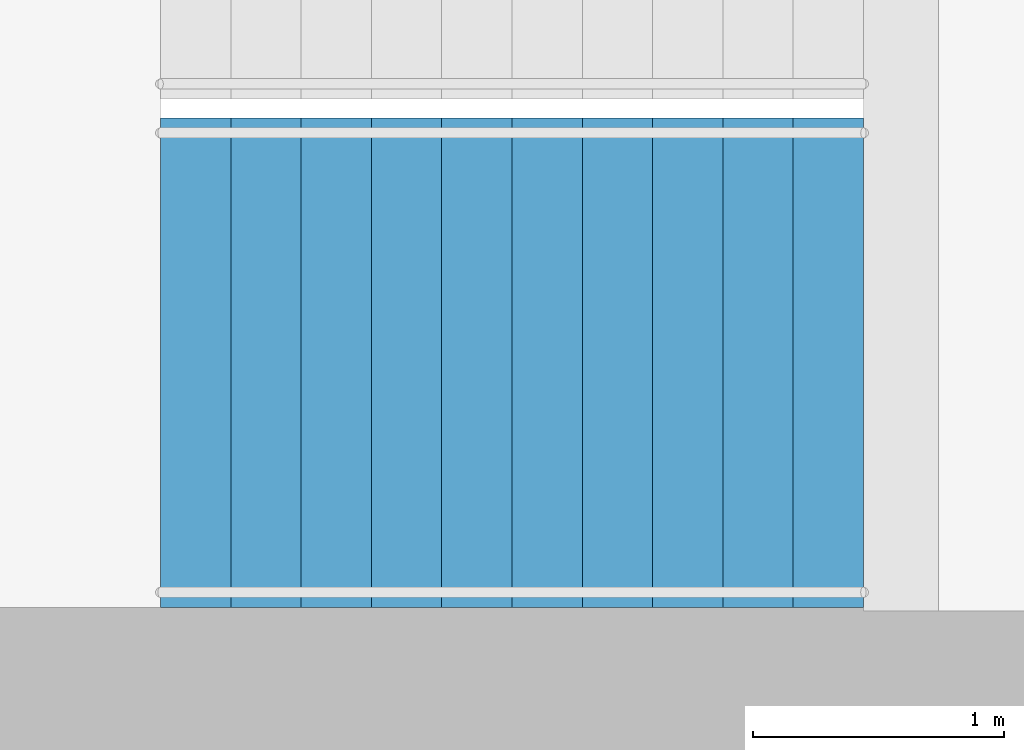
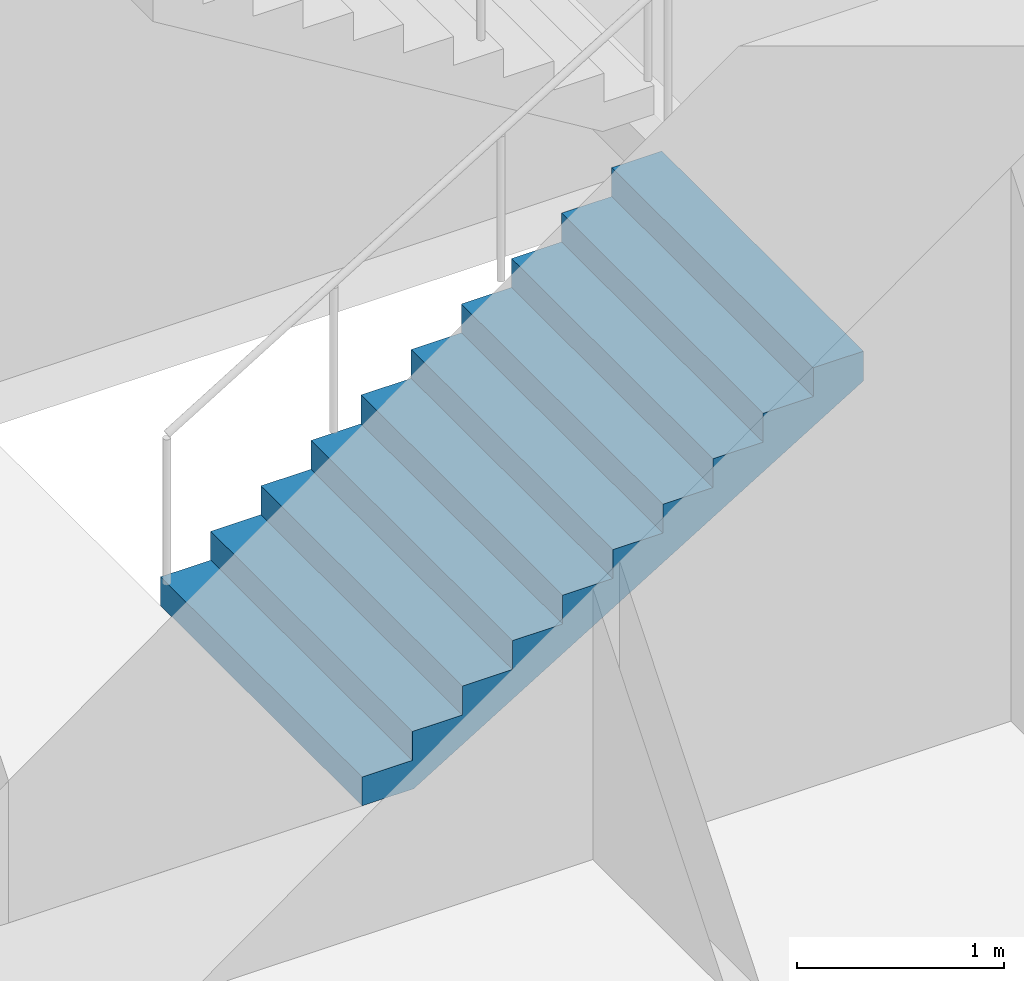
# One storey, part 17 of 21: 1 stair flight, 1 element without a shape of its own.
"""IFC4 building model written with IfcOpenShell, lengths in metres."""

import ifcopenshell
import ifcopenshell.guid

model = None  # the IFC model being written
_history = None  # IfcOwnerHistory: only IFC2X3 demands one
_inside = {}  # id of a spatial element -> (the spatial element, [elements in it])
_under = {}  # id of a project, library or spatial element -> (it, [spatial elements below it])
_declared = {}  # id of a project -> (the project, [libraries it declares])
_typed = {}  # id of a type object -> (the type object, [elements of that type])
_made_of = {}  # id of a material, layer set ... -> (it, [elements and type objects made of it])


def new_model(schema):
    """Start an empty IFC model of exactly this schema.

    Asked for "IFC4X3", IfcOpenShell would pick the latest addendum, in which some entities
    have other attributes; the version numbers below select the first issue.
    IFC2X3 requires an IfcOwnerHistory on every rooted entity: one is made here for all.
    """
    global model, _history
    if schema == "IFC4X3":
        model = ifcopenshell.file(schema_version=(4, 3, 0, 0))
    else:
        model = ifcopenshell.file(schema=schema)
    _inside.clear()
    _under.clear()
    _declared.clear()
    _typed.clear()
    _made_of.clear()
    _history = None
    if model.schema == "IFC2X3":
        org = make("IfcOrganization", Name="unknown")
        user = make(
            "IfcPersonAndOrganization",
            ThePerson=make("IfcPerson", FamilyName="unknown"),
            TheOrganization=org,
        )
        app = make(
            "IfcApplication",
            ApplicationDeveloper=org,
            Version="unknown",
            ApplicationFullName="unknown",
            ApplicationIdentifier="unknown",
        )
        _history = make(
            "IfcOwnerHistory",
            OwningUser=user,
            OwningApplication=app,
            ChangeAction="ADDED",
            CreationDate=0,
        )
    return model


def make(cls, **values):
    """One entity of the class cls with the attributes given. An attribute that is None is left unset."""
    return model.create_entity(
        cls, **{name: value for name, value in values.items() if value is not None}
    )


def rooted(cls, **values):
    """An entity with a GlobalId (a new one), such as an element, a storey or a relation."""
    return make(cls, GlobalId=ifcopenshell.guid.new(), OwnerHistory=_history, **values)


def si_unit(unit_type, name, prefix=None):
    """IfcSIUnit, for example si_unit("LENGTHUNIT", "METRE", prefix="MILLI")."""
    return make("IfcSIUnit", UnitType=unit_type, Prefix=prefix, Name=name)


def assignment(units):
    """IfcUnitAssignment: the units of a project."""
    return None if units is None else make("IfcUnitAssignment", Units=units)


def point(xyz):
    """IfcCartesianPoint."""
    return None if xyz is None else make("IfcCartesianPoint", Coordinates=xyz)


def direction(xyz):
    """IfcDirection."""
    return None if xyz is None else make("IfcDirection", DirectionRatios=xyz)


def frame(location, z_axis=None, x_axis=None):
    """IfcAxis2Placement3D, a coordinate frame: its origin and axes. An axis left out is left unset."""
    return make(
        "IfcAxis2Placement3D",
        Location=point(location),
        Axis=direction(z_axis),
        RefDirection=direction(x_axis),
    )


def origin():
    """The frame at (0, 0, 0) with its axes left unset."""
    return frame((0.0, 0.0, 0.0))


def place(relative_to, where):
    """IfcLocalPlacement: puts the frame where relative to a parent placement (None: the world)."""
    return make(
        "IfcLocalPlacement", PlacementRelTo=relative_to, RelativePlacement=where
    )


def context(
    kind, dimensions, precision=None, world=None, true_north=None, identifier=None
):
    """IfcGeometricRepresentationContext, for example the 3D "Model" context."""
    return make(
        "IfcGeometricRepresentationContext",
        ContextIdentifier=identifier,
        ContextType=kind,
        CoordinateSpaceDimension=dimensions,
        Precision=precision,
        WorldCoordinateSystem=world,
        TrueNorth=true_north,
    )


def subcontext(parent, identifier, kind, view, scale=None):
    """IfcGeometricRepresentationSubContext, for example "Body" below "Model"."""
    return make(
        "IfcGeometricRepresentationSubContext",
        ContextIdentifier=identifier,
        ContextType=kind,
        ParentContext=parent,
        TargetScale=scale,
        TargetView=view,
    )


def project(units=None, contexts=None):
    """IfcProject with its units and contexts."""
    return rooted(
        "IfcProject",
        Name="project",
        RepresentationContexts=contexts,
        UnitsInContext=assignment(units),
    )


def spatial(cls, under=None, at=None, **own):
    """A site, building, storey or space (cls), placed at a placement, below another one or the project."""
    s = rooted(cls, ObjectPlacement=at, **own)
    if under is not None:
        _under.setdefault(under.id(), (under, []))[1].append(s)
    return s


def point_list(points):
    """IfcCartesianPointList2D or 3D."""
    cls = (
        "IfcCartesianPointList2D" if len(points[0]) == 2 else "IfcCartesianPointList3D"
    )
    return make(cls, CoordList=points)


def triangles(points, corners, closed=None, point_numbers=None):
    """IfcTriangulatedFaceSet: each triangle names its three corners, points numbered from 1."""
    return make(
        "IfcTriangulatedFaceSet",
        Coordinates=point_list(points),
        Closed=closed,
        CoordIndex=corners,
        PnIndex=point_numbers,
    )


def shape(context_of_items, identifier, shape_type, items):
    """IfcShapeRepresentation: the items that make up one representation, for example the "Body"."""
    return make(
        "IfcShapeRepresentation",
        ContextOfItems=context_of_items,
        RepresentationIdentifier=identifier,
        RepresentationType=shape_type,
        Items=items,
    )


def material(Name=None, Category=None):
    """IfcMaterial."""
    return make("IfcMaterial", Name=Name, Category=Category)


def made_of(thing, what):
    """Note that an element or type object is made of a material, layer set ...; save() writes the relation."""
    if what is not None:
        _made_of.setdefault(what.id(), (what, []))[1].append(thing)
    return thing


def type_object(cls, material=None, **own):
    """A type object (cls), such as IfcWallType, which elements share."""
    return made_of(rooted(cls, **own), material)


def element(
    cls,
    number,
    at=None,
    inside=None,
    cuts=None,
    type_object=None,
    material=None,
    context=None,
    identifier="Body",
    shape_type=None,
    held_by="IfcProductDefinitionShape",
    body=None,
    shapes=None,
    **own,
):
    """One element of the class cls, such as IfcWall. Its Tag is "e" and its number.

    at: its placement. inside: the storey or other place that contains it. cuts: it is an
    opening in that element (IfcRelVoidsElement). A single representation is given by context,
    identifier, shape_type and body (its items); several are given by shapes. held_by: the class
    of the entity that holds the representations. save() writes the other relations.
    """
    e = rooted(cls, Tag="e%d" % number, ObjectPlacement=at, **own)
    if body is not None:
        shapes = [shape(context, identifier, shape_type, body)]
    if shapes is not None:
        e.Representation = make(held_by, Representations=shapes)
    if inside is not None:
        _inside.setdefault(inside.id(), (inside, []))[1].append(e)
    if cuts is not None:
        rooted(
            "IfcRelVoidsElement", RelatingBuildingElement=cuts, RelatedOpeningElement=e
        )
    if type_object is not None:
        _typed.setdefault(type_object.id(), (type_object, []))[1].append(e)
    return made_of(e, material)


def aggregate(whole, parts):
    """IfcRelAggregates: a whole, such as a stair, and the parts it consists of."""
    return rooted("IfcRelAggregates", RelatingObject=whole, RelatedObjects=parts)


def save(model, path):
    """Write the relations noted so far, then the file.

    IfcRelAggregates (storeys below a building ...), IfcRelContainedInSpatialStructure (elements
    in a storey), IfcRelDefinesByType, IfcRelAssociatesMaterial and IfcRelDeclares: one each for
    every whole, place, type object, material and project.
    """
    for whole, parts in _under.values():
        aggregate(whole, parts)
    for where, things in _inside.values():
        rooted(
            "IfcRelContainedInSpatialStructure",
            RelatedElements=things,
            RelatingStructure=where,
        )
    for kind, things in _typed.values():
        rooted("IfcRelDefinesByType", RelatedObjects=things, RelatingType=kind)
    for what, things in _made_of.values():
        rooted("IfcRelAssociatesMaterial", RelatedObjects=things, RelatingMaterial=what)
    for by, libraries in _declared.values():
        rooted("IfcRelDeclares", RelatingContext=by, RelatedDefinitions=libraries)
    model.write(path)


model = new_model("IFC4")

# Units and contexts
model_context = context("Model", 3, precision=1e-05, world=origin(), true_north=direction((0.0, 1.0)))
body_context = subcontext(model_context, "Body", "Model", "MODEL_VIEW")
ifc_project = project(units=[si_unit("LENGTHUNIT", "METRE"), si_unit("AREAUNIT", "SQUARE_METRE"), si_unit("VOLUMEUNIT", "CUBIC_METRE"), si_unit("PLANEANGLEUNIT", "RADIAN"), si_unit("MASSUNIT", "GRAM", prefix="KILO")], contexts=[model_context])

# Site, building, storey
site_placement = place(None, origin())
site = spatial("IfcSite", under=ifc_project, at=site_placement, CompositionType="ELEMENT")
building_placement = place(site_placement, origin())
building = spatial("IfcBuilding", under=site, at=building_placement, Name="Orbita Commons", CompositionType="ELEMENT")
storey_placement = place(building_placement, frame((0.0, 0.0, 125.64990234375)))
storey = spatial("IfcBuildingStorey", under=building, at=storey_placement, Name="L31", CompositionType="ELEMENT", Elevation=125.64990234375)

# Stair, stair flight
ifc_material_1 = material(Name="Precast concrete C40/50", Category="concrete")
stair_type = type_object("IfcStairType", Name="Exit stair S1 2 flights 11 risers 170", PredefinedType="HALF_TURN_STAIR", material=ifc_material_1)
stair_placement = place(storey_placement, origin())
stair = element("IfcStair", 1, at=stair_placement, inside=storey, type_object=stair_type, Name="Exit stair S1 L31", PredefinedType="HALF_TURN_STAIR")
ifc_material_2 = material(Name="Precast concrete C40/50", Category="concrete")
stair_flight_type = type_object("IfcStairFlightType", Name="Stair flight 11 risers 170 x 280", PredefinedType="STRAIGHT", material=ifc_material_2)
stair_flight_placement = place(storey_placement, frame((20.449951171875, 27.25, 0.0), z_axis=(0.0, 0.0, 1.0), x_axis=(1.0, 0.0, 0.0)))
stair_flight = element("IfcStairFlight", 2, at=stair_flight_placement, type_object=stair_flight_type, Name="S1 flight 1", NumberOfRisers=11, NumberOfTreads=10, PredefinedType="STRAIGHT", RiserHeight=0.170454545, TreadLength=0.28, context=body_context, shape_type="Tessellation", body=[
    triangles([(0.0, 0.974976, 0.0), (0.0, 0.974976, 0.021307), (0.0, 0.81248, 0.021307), (0.0, 0.81248, 0.0), (0.0, 0.649984, 0.021307), (0.0, 0.649984, 0.0), (0.0, 0.487488, 0.021307), (0.0, 0.487488, 0.0), (0.0, 0.324992, 0.021307), (0.0, 0.324992, 0.0), (0.0, 0.162496, 0.021307), (0.0, 0.162496, 0.0), (0.0, 0.0, 0.021307), (0.0, 0.0, 0.0), (0.0, -0.162496, 0.021307), (0.0, -0.162496, 0.0), (0.0, -0.324992, 0.021307), (0.0, -0.324992, 0.0), (0.0, -0.487488, 0.021307), (0.0, -0.487488, 0.0), (0.0, -0.649984, 0.021307), (0.0, -0.649984, 0.0), (0.0, -0.81248, 0.021307), (0.0, -0.81248, 0.0), (0.0, -0.974976, 0.021307), (0.0, -0.974976, 0.0), (0.0, 0.974976, 0.042614), (0.0, 0.81248, 0.042614), (0.0, 0.649984, 0.042614), (0.0, 0.487488, 0.042614), (0.0, 0.324992, 0.042614), (0.0, 0.162496, 0.042614), (0.0, 0.0, 0.042614), (0.0, -0.162496, 0.042614), (0.0, -0.324992, 0.042614), (0.0, -0.487488, 0.042614), (0.0, -0.649984, 0.042614), (0.0, -0.81248, 0.042614), (0.0, -0.974976, 0.042614), (0.0, 0.974976, 0.06392), (0.0, 0.81248, 0.06392), (0.0, 0.649984, 0.06392), (0.0, 0.487488, 0.06392), (0.0, 0.324992, 0.06392), (0.0, 0.162496, 0.06392), (0.0, 0.0, 0.06392), (0.0, -0.162496, 0.06392), (0.0, -0.324992, 0.06392), (0.0, -0.487488, 0.06392), (0.0, -0.649984, 0.06392), (0.0, -0.81248, 0.06392), (0.0, -0.974976, 0.06392), (0.0, 0.974976, 0.085227), (0.0, 0.81248, 0.085227), (0.0, 0.649984, 0.085227), (0.0, 0.487488, 0.085227), (0.0, 0.324992, 0.085227), (0.0, 0.162496, 0.085227), (0.0, 0.0, 0.085227), (0.0, -0.162496, 0.085227), (0.0, -0.324992, 0.085227), (0.0, -0.487488, 0.085227), (0.0, -0.649984, 0.085227), (0.0, -0.81248, 0.085227), (0.0, -0.974976, 0.085227), (0.0, 0.974976, 0.106534), (0.0, 0.81248, 0.106534), (0.0, 0.649984, 0.106534), (0.0, 0.487488, 0.106534), (0.0, 0.324992, 0.106534), (0.0, 0.162496, 0.106534), (0.0, 0.0, 0.106534), (0.0, -0.162496, 0.106534), (0.0, -0.324992, 0.106534), (0.0, -0.487488, 0.106534), (0.0, -0.649984, 0.106534), (0.0, -0.81248, 0.106534), (0.0, -0.974976, 0.106534), (0.0, 0.974976, 0.127841), (0.0, 0.81248, 0.127841), (0.0, 0.649984, 0.127841), (0.0, 0.487488, 0.127841), (0.0, 0.324992, 0.127841), (0.0, 0.162496, 0.127841), (0.0, 0.0, 0.127841), (0.0, -0.162496, 0.127841), (0.0, -0.324992, 0.127841), (0.0, -0.487488, 0.127841), (0.0, -0.649984, 0.127841), (0.0, -0.81248, 0.127841), (0.0, -0.974976, 0.127841), (0.0, 0.974976, 0.149148), (0.0, 0.81248, 0.149148), (0.0, 0.649984, 0.149148), (0.0, 0.487488, 0.149148), (0.0, 0.324992, 0.149148), (0.0, 0.162496, 0.149148), (0.0, 0.0, 0.149148), (0.0, -0.162496, 0.149148), (0.0, -0.324992, 0.149148), (0.0, -0.487488, 0.149148), (0.0, -0.649984, 0.149148), (0.0, -0.81248, 0.149148), (0.0, -0.974976, 0.149148), (0.0, 0.974976, 0.170455), (0.0, 0.81248, 0.170455), (0.0, 0.649984, 0.170455), (0.0, 0.487488, 0.170455), (0.0, 0.324992, 0.170455), (0.0, 0.162496, 0.170455), (0.0, 0.0, 0.170455), (0.0, -0.162496, 0.170455), (0.0, -0.324992, 0.170455), (0.0, -0.487488, 0.170455), (0.0, -0.649984, 0.170455), (0.0, -0.81248, 0.170455), (0.0, -0.974976, 0.170455), (0.28, 0.974976, 0.170455), (0.28, 0.81248, 0.170455), (0.28, 0.649984, 0.170455), (0.28, 0.487488, 0.170455), (0.28, 0.324992, 0.170455), (0.28, 0.162496, 0.170455), (0.28, 0.0, 0.170455), (0.28, -0.162496, 0.170455), (0.28, -0.324992, 0.170455), (0.28, -0.487488, 0.170455), (0.28, -0.649984, 0.170455), (0.28, -0.81248, 0.170455), (0.28, -0.974976, 0.170455), (0.28, 0.974976, 0.340909), (0.28, 0.81248, 0.340909), (0.28, 0.649984, 0.340909), (0.28, 0.487488, 0.340909), (0.28, 0.324992, 0.340909), (0.28, 0.162496, 0.340909), (0.28, 0.0, 0.340909), (0.28, -0.162496, 0.340909), (0.28, -0.324992, 0.340909), (0.28, -0.487488, 0.340909), (0.28, -0.649984, 0.340909), (0.28, -0.81248, 0.340909), (0.28, -0.974976, 0.340909), (0.56, 0.974976, 0.340909), (0.56, 0.81248, 0.340909), (0.56, 0.649984, 0.340909), (0.56, 0.487488, 0.340909), (0.56, 0.324992, 0.340909), (0.56, 0.162496, 0.340909), (0.56, 0.0, 0.340909), (0.56, -0.162496, 0.340909), (0.56, -0.324992, 0.340909), (0.56, -0.487488, 0.340909), (0.56, -0.649984, 0.340909), (0.56, -0.81248, 0.340909), (0.56, -0.974976, 0.340909), (0.56, 0.974976, 0.511364), (0.56, 0.81248, 0.511364), (0.56, 0.649984, 0.511364), (0.56, 0.487488, 0.511364), (0.56, 0.324992, 0.511364), (0.56, 0.162496, 0.511364), (0.56, 0.0, 0.511364), (0.56, -0.162496, 0.511364), (0.56, -0.324992, 0.511364), (0.56, -0.487488, 0.511364), (0.56, -0.649984, 0.511364), (0.56, -0.81248, 0.511364), (0.56, -0.974976, 0.511364), (0.84, 0.974976, 0.511364), (0.84, 0.81248, 0.511364), (0.84, 0.649984, 0.511364), (0.84, 0.487488, 0.511364), (0.84, 0.324992, 0.511364), (0.84, 0.162496, 0.511364), (0.84, 0.0, 0.511364), (0.84, -0.162496, 0.511364), (0.84, -0.324992, 0.511364), (0.84, -0.487488, 0.511364), (0.84, -0.649984, 0.511364), (0.84, -0.81248, 0.511364), (0.84, -0.974976, 0.511364), (0.84, 0.974976, 0.681818), (0.84, 0.81248, 0.681818), (0.84, 0.649984, 0.681818), (0.84, 0.487488, 0.681818), (0.84, 0.324992, 0.681818), (0.84, 0.162496, 0.681818), (0.84, 0.0, 0.681818), (0.84, -0.162496, 0.681818), (0.84, -0.324992, 0.681818), (0.84, -0.487488, 0.681818), (0.84, -0.649984, 0.681818), (0.84, -0.81248, 0.681818), (0.84, -0.974976, 0.681818), (1.12, 0.974976, 0.681818), (1.12, 0.81248, 0.681818), (1.12, 0.649984, 0.681818), (1.12, 0.487488, 0.681818), (1.12, 0.324992, 0.681818), (1.12, 0.162496, 0.681818), (1.12, 0.0, 0.681818), (1.12, -0.162496, 0.681818), (1.12, -0.324992, 0.681818), (1.12, -0.487488, 0.681818), (1.12, -0.649984, 0.681818), (1.12, -0.81248, 0.681818), (1.12, -0.974976, 0.681818), (1.12, 0.974976, 0.852273), (1.12, 0.81248, 0.852273), (1.12, 0.649984, 0.852273), (1.12, 0.487488, 0.852273), (1.12, 0.324992, 0.852273), (1.12, 0.162496, 0.852273), (1.12, 0.0, 0.852273), (1.12, -0.162496, 0.852273), (1.12, -0.324992, 0.852273), (1.12, -0.487488, 0.852273), (1.12, -0.649984, 0.852273), (1.12, -0.81248, 0.852273), (1.12, -0.974976, 0.852273), (1.4, 0.974976, 0.852273), (1.4, 0.81248, 0.852273), (1.4, 0.649984, 0.852273), (1.4, 0.487488, 0.852273), (1.4, 0.324992, 0.852273), (1.4, 0.162496, 0.852273), (1.4, 0.0, 0.852273), (1.4, -0.162496, 0.852273), (1.4, -0.324992, 0.852273), (1.4, -0.487488, 0.852273), (1.4, -0.649984, 0.852273), (1.4, -0.81248, 0.852273), (1.4, -0.974976, 0.852273), (1.4, 0.974976, 1.022727), (1.4, 0.81248, 1.022727), (1.4, 0.649984, 1.022727), (1.4, 0.487488, 1.022727), (1.4, 0.324992, 1.022727), (1.4, 0.162496, 1.022727), (1.4, 0.0, 1.022727), (1.4, -0.162496, 1.022727), (1.4, -0.324992, 1.022727), (1.4, -0.487488, 1.022727), (1.4, -0.649984, 1.022727), (1.4, -0.81248, 1.022727), (1.4, -0.974976, 1.022727), (1.68, 0.974976, 1.022727), (1.68, 0.81248, 1.022727), (1.68, 0.649984, 1.022727), (1.68, 0.487488, 1.022727), (1.68, 0.324992, 1.022727), (1.68, 0.162496, 1.022727), (1.68, 0.0, 1.022727), (1.68, -0.162496, 1.022727), (1.68, -0.324992, 1.022727), (1.68, -0.487488, 1.022727), (1.68, -0.649984, 1.022727), (1.68, -0.81248, 1.022727), (1.68, -0.974976, 1.022727), (1.68, 0.974976, 1.193182), (1.68, 0.81248, 1.193182), (1.68, 0.649984, 1.193182), (1.68, 0.487488, 1.193182), (1.68, 0.324992, 1.193182), (1.68, 0.162496, 1.193182), (1.68, 0.0, 1.193182), (1.68, -0.162496, 1.193182), (1.68, -0.324992, 1.193182), (1.68, -0.487488, 1.193182), (1.68, -0.649984, 1.193182), (1.68, -0.81248, 1.193182), (1.68, -0.974976, 1.193182), (1.96, 0.974976, 1.193182), (1.96, 0.81248, 1.193182), (1.96, 0.649984, 1.193182), (1.96, 0.487488, 1.193182), (1.96, 0.324992, 1.193182), (1.96, 0.162496, 1.193182), (1.96, 0.0, 1.193182), (1.96, -0.162496, 1.193182), (1.96, -0.324992, 1.193182), (1.96, -0.487488, 1.193182), (1.96, -0.649984, 1.193182), (1.96, -0.81248, 1.193182), (1.96, -0.974976, 1.193182), (1.96, 0.974976, 1.363636), (1.96, 0.81248, 1.363636), (1.96, 0.649984, 1.363636), (1.96, 0.487488, 1.363636), (1.96, 0.324992, 1.363636), (1.96, 0.162496, 1.363636), (1.96, 0.0, 1.363636), (1.96, -0.162496, 1.363636), (1.96, -0.324992, 1.363636), (1.96, -0.487488, 1.363636), (1.96, -0.649984, 1.363636), (1.96, -0.81248, 1.363636), (1.96, -0.974976, 1.363636), (2.24, 0.974976, 1.363636), (2.24, 0.81248, 1.363636), (2.24, 0.649984, 1.363636), (2.24, 0.487488, 1.363636), (2.24, 0.324992, 1.363636), (2.24, 0.162496, 1.363636), (2.24, 0.0, 1.363636), (2.24, -0.162496, 1.363636), (2.24, -0.324992, 1.363636), (2.24, -0.487488, 1.363636), (2.24, -0.649984, 1.363636), (2.24, -0.81248, 1.363636), (2.24, -0.974976, 1.363636), (2.24, 0.974976, 1.534091), (2.24, 0.81248, 1.534091), (2.24, 0.649984, 1.534091), (2.24, 0.487488, 1.534091), (2.24, 0.324992, 1.534091), (2.24, 0.162496, 1.534091), (2.24, 0.0, 1.534091), (2.24, -0.162496, 1.534091), (2.24, -0.324992, 1.534091), (2.24, -0.487488, 1.534091), (2.24, -0.649984, 1.534091), (2.24, -0.81248, 1.534091), (2.24, -0.974976, 1.534091), (2.52, 0.974976, 1.534091), (2.52, 0.81248, 1.534091), (2.52, 0.649984, 1.534091), (2.52, 0.487488, 1.534091), (2.52, 0.324992, 1.534091), (2.52, 0.162496, 1.534091), (2.52, 0.0, 1.534091), (2.52, -0.162496, 1.534091), (2.52, -0.324992, 1.534091), (2.52, -0.487488, 1.534091), (2.52, -0.649984, 1.534091), (2.52, -0.81248, 1.534091), (2.52, -0.974976, 1.534091), (2.52, 0.974976, 1.704545), (2.52, 0.81248, 1.704545), (2.52, 0.649984, 1.704545), (2.52, 0.487488, 1.704545), (2.52, 0.324992, 1.704545), (2.52, 0.162496, 1.704545), (2.52, 0.0, 1.704545), (2.52, -0.162496, 1.704545), (2.52, -0.324992, 1.704545), (2.52, -0.487488, 1.704545), (2.52, -0.649984, 1.704545), (2.52, -0.81248, 1.704545), (2.52, -0.974976, 1.704545), (2.8, 0.974976, 1.704545), (2.8, 0.81248, 1.704545), (2.8, 0.649984, 1.704545), (2.8, 0.487488, 1.704545), (2.8, 0.324992, 1.704545), (2.8, 0.162496, 1.704545), (2.8, 0.0, 1.704545), (2.8, -0.162496, 1.704545), (2.8, -0.324992, 1.704545), (2.8, -0.487488, 1.704545), (2.8, -0.649984, 1.704545), (2.8, -0.81248, 1.704545), (2.8, -0.974976, 1.704545), (2.8, 0.974976, 1.682609), (2.8, 0.81248, 1.682609), (2.8, 0.649984, 1.682609), (2.8, 0.487488, 1.682609), (2.8, 0.324992, 1.682609), (2.8, 0.162496, 1.682609), (2.8, 0.0, 1.682609), (2.8, -0.162496, 1.682609), (2.8, -0.324992, 1.682609), (2.8, -0.487488, 1.682609), (2.8, -0.649984, 1.682609), (2.8, -0.81248, 1.682609), (2.8, -0.974976, 1.682609), (2.8, 0.974976, 1.660672), (2.8, 0.81248, 1.660672), (2.8, 0.649984, 1.660672), (2.8, 0.487488, 1.660672), (2.8, 0.324992, 1.660672), (2.8, 0.162496, 1.660672), (2.8, 0.0, 1.660672), (2.8, -0.162496, 1.660672), (2.8, -0.324992, 1.660672), (2.8, -0.487488, 1.660672), (2.8, -0.649984, 1.660672), (2.8, -0.81248, 1.660672), (2.8, -0.974976, 1.660672), (2.8, 0.974976, 1.638735), (2.8, 0.81248, 1.638735), (2.8, 0.649984, 1.638735), (2.8, 0.487488, 1.638735), (2.8, 0.324992, 1.638735), (2.8, 0.162496, 1.638735), (2.8, 0.0, 1.638735), (2.8, -0.162496, 1.638735), (2.8, -0.324992, 1.638735), (2.8, -0.487488, 1.638735), (2.8, -0.649984, 1.638735), (2.8, -0.81248, 1.638735), (2.8, -0.974976, 1.638735), (2.8, 0.974976, 1.616798), (2.8, 0.81248, 1.616798), (2.8, 0.649984, 1.616798), (2.8, 0.487488, 1.616798), (2.8, 0.324992, 1.616798), (2.8, 0.162496, 1.616798), (2.8, 0.0, 1.616798), (2.8, -0.162496, 1.616798), (2.8, -0.324992, 1.616798), (2.8, -0.487488, 1.616798), (2.8, -0.649984, 1.616798), (2.8, -0.81248, 1.616798), (2.8, -0.974976, 1.616798), (2.8, 0.974976, 1.594861), (2.8, 0.81248, 1.594861), (2.8, 0.649984, 1.594861), (2.8, 0.487488, 1.594861), (2.8, 0.324992, 1.594861), (2.8, 0.162496, 1.594861), (2.8, 0.0, 1.594861), (2.8, -0.162496, 1.594861), (2.8, -0.324992, 1.594861), (2.8, -0.487488, 1.594861), (2.8, -0.649984, 1.594861), (2.8, -0.81248, 1.594861), (2.8, -0.974976, 1.594861), (2.8, 0.974976, 1.572925), (2.8, 0.81248, 1.572925), (2.8, 0.649984, 1.572925), (2.8, 0.487488, 1.572925), (2.8, 0.324992, 1.572925), (2.8, 0.162496, 1.572925), (2.8, 0.0, 1.572925), (2.8, -0.162496, 1.572925), (2.8, -0.324992, 1.572925), (2.8, -0.487488, 1.572925), (2.8, -0.649984, 1.572925), (2.8, -0.81248, 1.572925), (2.8, -0.974976, 1.572925), (2.8, 0.974976, 1.550988), (2.8, 0.81248, 1.550988), (2.8, 0.649984, 1.550988), (2.8, 0.487488, 1.550988), (2.8, 0.324992, 1.550988), (2.8, 0.162496, 1.550988), (2.8, 0.0, 1.550988), (2.8, -0.162496, 1.550988), (2.8, -0.324992, 1.550988), (2.8, -0.487488, 1.550988), (2.8, -0.649984, 1.550988), (2.8, -0.81248, 1.550988), (2.8, -0.974976, 1.550988), (2.8, 0.974976, 1.529051), (2.8, 0.81248, 1.529051), (2.8, 0.649984, 1.529051), (2.8, 0.487488, 1.529051), (2.8, 0.324992, 1.529051), (2.8, 0.162496, 1.529051), (2.8, 0.0, 1.529051), (2.8, -0.162496, 1.529051), (2.8, -0.324992, 1.529051), (2.8, -0.487488, 1.529051), (2.8, -0.649984, 1.529051), (2.8, -0.81248, 1.529051), (2.8, -0.974976, 1.529051), (0.288279, 0.974976, 0.0), (0.288279, 0.81248, 0.0), (0.288279, 0.649984, 0.0), (0.288279, 0.487488, 0.0), (0.288279, 0.324992, 0.0), (0.288279, 0.162496, 0.0), (0.288279, 0.0, 0.0), (0.288279, -0.162496, 0.0), (0.288279, -0.324992, 0.0), (0.288279, -0.487488, 0.0), (0.288279, -0.649984, 0.0), (0.288279, -0.81248, 0.0), (0.288279, -0.974976, 0.0)], [[3, 2, 1], [4, 3, 1], [5, 3, 4], [6, 5, 4], [7, 5, 6], [8, 7, 6], [9, 7, 8], [10, 9, 8], [11, 9, 10], [12, 11, 10], [13, 11, 12], [14, 13, 12], [15, 13, 14], [16, 15, 14], [17, 15, 16], [18, 17, 16], [19, 17, 18], [20, 19, 18], [21, 19, 20], [22, 21, 20], [23, 21, 22], [24, 23, 22], [25, 23, 24], [26, 25, 24], [28, 27, 2], [3, 28, 2], [29, 28, 3], [5, 29, 3], [30, 29, 5], [7, 30, 5], [31, 30, 7], [9, 31, 7], [32, 31, 9], [11, 32, 9], [33, 32, 11], [13, 33, 11], [34, 33, 13], [15, 34, 13], [35, 34, 15], [17, 35, 15], [36, 35, 17], [19, 36, 17], [37, 36, 19], [21, 37, 19], [38, 37, 21], [23, 38, 21], [39, 38, 23], [25, 39, 23], [41, 40, 27], [28, 41, 27], [42, 41, 28], [29, 42, 28], [43, 42, 29], [30, 43, 29], [44, 43, 30], [31, 44, 30], [45, 44, 31], [32, 45, 31], [46, 45, 32], [33, 46, 32], [47, 46, 33], [34, 47, 33], [48, 47, 34], [35, 48, 34], [49, 48, 35], [36, 49, 35], [50, 49, 36], [37, 50, 36], [51, 50, 37], [38, 51, 37], [52, 51, 38], [39, 52, 38], [54, 53, 40], [41, 54, 40], [55, 54, 41], [42, 55, 41], [56, 55, 42], [43, 56, 42], [57, 56, 43], [44, 57, 43], [58, 57, 44], [45, 58, 44], [59, 58, 45], [46, 59, 45], [60, 59, 46], [47, 60, 46], [61, 60, 47], [48, 61, 47], [62, 61, 48], [49, 62, 48], [63, 62, 49], [50, 63, 49], [64, 63, 50], [51, 64, 50], [65, 64, 51], [52, 65, 51], [67, 66, 53], [54, 67, 53], [68, 67, 54], [55, 68, 54], [69, 68, 55], [56, 69, 55], [70, 69, 56], [57, 70, 56], [71, 70, 57], [58, 71, 57], [72, 71, 58], [59, 72, 58], [73, 72, 59], [60, 73, 59], [74, 73, 60], [61, 74, 60], [75, 74, 61], [62, 75, 61], [76, 75, 62], [63, 76, 62], [77, 76, 63], [64, 77, 63], [78, 77, 64], [65, 78, 64], [80, 79, 66], [67, 80, 66], [81, 80, 67], [68, 81, 67], [82, 81, 68], [69, 82, 68], [83, 82, 69], [70, 83, 69], [84, 83, 70], [71, 84, 70], [85, 84, 71], [72, 85, 71], [86, 85, 72], [73, 86, 72], [87, 86, 73], [74, 87, 73], [88, 87, 74], [75, 88, 74], [89, 88, 75], [76, 89, 75], [90, 89, 76], [77, 90, 76], [91, 90, 77], [78, 91, 77], [93, 92, 79], [80, 93, 79], [94, 93, 80], [81, 94, 80], [95, 94, 81], [82, 95, 81], [96, 95, 82], [83, 96, 82], [97, 96, 83], [84, 97, 83], [98, 97, 84], [85, 98, 84], [99, 98, 85], [86, 99, 85], [100, 99, 86], [87, 100, 86], [101, 100, 87], [88, 101, 87], [102, 101, 88], [89, 102, 88], [103, 102, 89], [90, 103, 89], [104, 103, 90], [91, 104, 90], [106, 105, 92], [93, 106, 92], [107, 106, 93], [94, 107, 93], [108, 107, 94], [95, 108, 94], [109, 108, 95], [96, 109, 95], [110, 109, 96], [97, 110, 96], [111, 110, 97], [98, 111, 97], [112, 111, 98], [99, 112, 98], [113, 112, 99], [100, 113, 99], [114, 113, 100], [101, 114, 100], [115, 114, 101], [102, 115, 101], [116, 115, 102], [103, 116, 102], [117, 116, 103], [104, 117, 103], [119, 118, 105], [106, 119, 105], [120, 119, 106], [107, 120, 106], [121, 120, 107], [108, 121, 107], [122, 121, 108], [109, 122, 108], [123, 122, 109], [110, 123, 109], [124, 123, 110], [111, 124, 110], [125, 124, 111], [112, 125, 111], [126, 125, 112], [113, 126, 112], [127, 126, 113], [114, 127, 113], [128, 127, 114], [115, 128, 114], [129, 128, 115], [116, 129, 115], [130, 129, 116], [117, 130, 116], [132, 131, 118], [119, 132, 118], [133, 132, 119], [120, 133, 119], [134, 133, 120], [121, 134, 120], [135, 134, 121], [122, 135, 121], [136, 135, 122], [123, 136, 122], [137, 136, 123], [124, 137, 123], [138, 137, 124], [125, 138, 124], [139, 138, 125], [126, 139, 125], [140, 139, 126], [127, 140, 126], [141, 140, 127], [128, 141, 127], [142, 141, 128], [129, 142, 128], [143, 142, 129], [130, 143, 129], [145, 144, 131], [132, 145, 131], [146, 145, 132], [133, 146, 132], [147, 146, 133], [134, 147, 133], [148, 147, 134], [135, 148, 134], [149, 148, 135], [136, 149, 135], [150, 149, 136], [137, 150, 136], [151, 150, 137], [138, 151, 137], [152, 151, 138], [139, 152, 138], [153, 152, 139], [140, 153, 139], [154, 153, 140], [141, 154, 140], [155, 154, 141], [142, 155, 141], [156, 155, 142], [143, 156, 142], [158, 157, 144], [145, 158, 144], [159, 158, 145], [146, 159, 145], [160, 159, 146], [147, 160, 146], [161, 160, 147], [148, 161, 147], [162, 161, 148], [149, 162, 148], [163, 162, 149], [150, 163, 149], [164, 163, 150], [151, 164, 150], [165, 164, 151], [152, 165, 151], [166, 165, 152], [153, 166, 152], [167, 166, 153], [154, 167, 153], [168, 167, 154], [155, 168, 154], [169, 168, 155], [156, 169, 155], [171, 170, 157], [158, 171, 157], [172, 171, 158], [159, 172, 158], [173, 172, 159], [160, 173, 159], [174, 173, 160], [161, 174, 160], [175, 174, 161], [162, 175, 161], [176, 175, 162], [163, 176, 162], [177, 176, 163], [164, 177, 163], [178, 177, 164], [165, 178, 164], [179, 178, 165], [166, 179, 165], [180, 179, 166], [167, 180, 166], [181, 180, 167], [168, 181, 167], [182, 181, 168], [169, 182, 168], [184, 183, 170], [171, 184, 170], [185, 184, 171], [172, 185, 171], [186, 185, 172], [173, 186, 172], [187, 186, 173], [174, 187, 173], [188, 187, 174], [175, 188, 174], [189, 188, 175], [176, 189, 175], [190, 189, 176], [177, 190, 176], [191, 190, 177], [178, 191, 177], [192, 191, 178], [179, 192, 178], [193, 192, 179], [180, 193, 179], [194, 193, 180], [181, 194, 180], [195, 194, 181], [182, 195, 181], [197, 196, 183], [184, 197, 183], [198, 197, 184], [185, 198, 184], [199, 198, 185], [186, 199, 185], [200, 199, 186], [187, 200, 186], [201, 200, 187], [188, 201, 187], [202, 201, 188], [189, 202, 188], [203, 202, 189], [190, 203, 189], [204, 203, 190], [191, 204, 190], [205, 204, 191], [192, 205, 191], [206, 205, 192], [193, 206, 192], [207, 206, 193], [194, 207, 193], [208, 207, 194], [195, 208, 194], [210, 209, 196], [197, 210, 196], [211, 210, 197], [198, 211, 197], [212, 211, 198], [199, 212, 198], [213, 212, 199], [200, 213, 199], [214, 213, 200], [201, 214, 200], [215, 214, 201], [202, 215, 201], [216, 215, 202], [203, 216, 202], [217, 216, 203], [204, 217, 203], [218, 217, 204], [205, 218, 204], [219, 218, 205], [206, 219, 205], [220, 219, 206], [207, 220, 206], [221, 220, 207], [208, 221, 207], [223, 222, 209], [210, 223, 209], [224, 223, 210], [211, 224, 210], [225, 224, 211], [212, 225, 211], [226, 225, 212], [213, 226, 212], [227, 226, 213], [214, 227, 213], [228, 227, 214], [215, 228, 214], [229, 228, 215], [216, 229, 215], [230, 229, 216], [217, 230, 216], [231, 230, 217], [218, 231, 217], [232, 231, 218], [219, 232, 218], [233, 232, 219], [220, 233, 219], [234, 233, 220], [221, 234, 220], [236, 235, 222], [223, 236, 222], [237, 236, 223], [224, 237, 223], [238, 237, 224], [225, 238, 224], [239, 238, 225], [226, 239, 225], [240, 239, 226], [227, 240, 226], [241, 240, 227], [228, 241, 227], [242, 241, 228], [229, 242, 228], [243, 242, 229], [230, 243, 229], [244, 243, 230], [231, 244, 230], [245, 244, 231], [232, 245, 231], [246, 245, 232], [233, 246, 232], [247, 246, 233], [234, 247, 233], [249, 248, 235], [236, 249, 235], [250, 249, 236], [237, 250, 236], [251, 250, 237], [238, 251, 237], [252, 251, 238], [239, 252, 238], [253, 252, 239], [240, 253, 239], [254, 253, 240], [241, 254, 240], [255, 254, 241], [242, 255, 241], [256, 255, 242], [243, 256, 242], [257, 256, 243], [244, 257, 243], [258, 257, 244], [245, 258, 244], [259, 258, 245], [246, 259, 245], [260, 259, 246], [247, 260, 246], [262, 261, 248], [249, 262, 248], [263, 262, 249], [250, 263, 249], [264, 263, 250], [251, 264, 250], [265, 264, 251], [252, 265, 251], [266, 265, 252], [253, 266, 252], [267, 266, 253], [254, 267, 253], [268, 267, 254], [255, 268, 254], [269, 268, 255], [256, 269, 255], [270, 269, 256], [257, 270, 256], [271, 270, 257], [258, 271, 257], [272, 271, 258], [259, 272, 258], [273, 272, 259], [260, 273, 259], [275, 274, 261], [262, 275, 261], [276, 275, 262], [263, 276, 262], [277, 276, 263], [264, 277, 263], [278, 277, 264], [265, 278, 264], [279, 278, 265], [266, 279, 265], [280, 279, 266], [267, 280, 266], [281, 280, 267], [268, 281, 267], [282, 281, 268], [269, 282, 268], [283, 282, 269], [270, 283, 269], [284, 283, 270], [271, 284, 270], [285, 284, 271], [272, 285, 271], [286, 285, 272], [273, 286, 272], [288, 287, 274], [275, 288, 274], [289, 288, 275], [276, 289, 275], [290, 289, 276], [277, 290, 276], [291, 290, 277], [278, 291, 277], [292, 291, 278], [279, 292, 278], [293, 292, 279], [280, 293, 279], [294, 293, 280], [281, 294, 280], [295, 294, 281], [282, 295, 281], [296, 295, 282], [283, 296, 282], [297, 296, 283], [284, 297, 283], [298, 297, 284], [285, 298, 284], [299, 298, 285], [286, 299, 285], [301, 300, 287], [288, 301, 287], [302, 301, 288], [289, 302, 288], [303, 302, 289], [290, 303, 289], [304, 303, 290], [291, 304, 290], [305, 304, 291], [292, 305, 291], [306, 305, 292], [293, 306, 292], [307, 306, 293], [294, 307, 293], [308, 307, 294], [295, 308, 294], [309, 308, 295], [296, 309, 295], [310, 309, 296], [297, 310, 296], [311, 310, 297], [298, 311, 297], [312, 311, 298], [299, 312, 298], [314, 313, 300], [301, 314, 300], [315, 314, 301], [302, 315, 301], [316, 315, 302], [303, 316, 302], [317, 316, 303], [304, 317, 303], [318, 317, 304], [305, 318, 304], [319, 318, 305], [306, 319, 305], [320, 319, 306], [307, 320, 306], [321, 320, 307], [308, 321, 307], [322, 321, 308], [309, 322, 308], [323, 322, 309], [310, 323, 309], [324, 323, 310], [311, 324, 310], [325, 324, 311], [312, 325, 311], [327, 326, 313], [314, 327, 313], [328, 327, 314], [315, 328, 314], [329, 328, 315], [316, 329, 315], [330, 329, 316], [317, 330, 316], [331, 330, 317], [318, 331, 317], [332, 331, 318], [319, 332, 318], [333, 332, 319], [320, 333, 319], [334, 333, 320], [321, 334, 320], [335, 334, 321], [322, 335, 321], [336, 335, 322], [323, 336, 322], [337, 336, 323], [324, 337, 323], [338, 337, 324], [325, 338, 324], [340, 339, 326], [327, 340, 326], [341, 340, 327], [328, 341, 327], [342, 341, 328], [329, 342, 328], [343, 342, 329], [330, 343, 329], [344, 343, 330], [331, 344, 330], [345, 344, 331], [332, 345, 331], [346, 345, 332], [333, 346, 332], [347, 346, 333], [334, 347, 333], [348, 347, 334], [335, 348, 334], [349, 348, 335], [336, 349, 335], [350, 349, 336], [337, 350, 336], [351, 350, 337], [338, 351, 337], [353, 352, 339], [340, 353, 339], [354, 353, 340], [341, 354, 340], [355, 354, 341], [342, 355, 341], [356, 355, 342], [343, 356, 342], [357, 356, 343], [344, 357, 343], [358, 357, 344], [345, 358, 344], [359, 358, 345], [346, 359, 345], [360, 359, 346], [347, 360, 346], [361, 360, 347], [348, 361, 347], [362, 361, 348], [349, 362, 348], [363, 362, 349], [350, 363, 349], [364, 363, 350], [351, 364, 350], [366, 365, 352], [353, 366, 352], [367, 366, 353], [354, 367, 353], [368, 367, 354], [355, 368, 354], [369, 368, 355], [356, 369, 355], [370, 369, 356], [357, 370, 356], [371, 370, 357], [358, 371, 357], [372, 371, 358], [359, 372, 358], [373, 372, 359], [360, 373, 359], [374, 373, 360], [361, 374, 360], [375, 374, 361], [362, 375, 361], [376, 375, 362], [363, 376, 362], [377, 376, 363], [364, 377, 363], [379, 378, 365], [366, 379, 365], [380, 379, 366], [367, 380, 366], [381, 380, 367], [368, 381, 367], [382, 381, 368], [369, 382, 368], [383, 382, 369], [370, 383, 369], [384, 383, 370], [371, 384, 370], [385, 384, 371], [372, 385, 371], [386, 385, 372], [373, 386, 372], [387, 386, 373], [374, 387, 373], [388, 387, 374], [375, 388, 374], [389, 388, 375], [376, 389, 375], [390, 389, 376], [377, 390, 376], [392, 391, 378], [379, 392, 378], [393, 392, 379], [380, 393, 379], [394, 393, 380], [381, 394, 380], [395, 394, 381], [382, 395, 381], [396, 395, 382], [383, 396, 382], [397, 396, 383], [384, 397, 383], [398, 397, 384], [385, 398, 384], [399, 398, 385], [386, 399, 385], [400, 399, 386], [387, 400, 386], [401, 400, 387], [388, 401, 387], [402, 401, 388], [389, 402, 388], [403, 402, 389], [390, 403, 389], [405, 404, 391], [392, 405, 391], [406, 405, 392], [393, 406, 392], [407, 406, 393], [394, 407, 393], [408, 407, 394], [395, 408, 394], [409, 408, 395], [396, 409, 395], [410, 409, 396], [397, 410, 396], [411, 410, 397], [398, 411, 397], [412, 411, 398], [399, 412, 398], [413, 412, 399], [400, 413, 399], [414, 413, 400], [401, 414, 400], [415, 414, 401], [402, 415, 401], [416, 415, 402], [403, 416, 402], [418, 417, 404], [405, 418, 404], [419, 418, 405], [406, 419, 405], [420, 419, 406], [407, 420, 406], [421, 420, 407], [408, 421, 407], [422, 421, 408], [409, 422, 408], [423, 422, 409], [410, 423, 409], [424, 423, 410], [411, 424, 410], [425, 424, 411], [412, 425, 411], [426, 425, 412], [413, 426, 412], [427, 426, 413], [414, 427, 413], [428, 427, 414], [415, 428, 414], [429, 428, 415], [416, 429, 415], [431, 430, 417], [418, 431, 417], [432, 431, 418], [419, 432, 418], [433, 432, 419], [420, 433, 419], [434, 433, 420], [421, 434, 420], [435, 434, 421], [422, 435, 421], [436, 435, 422], [423, 436, 422], [437, 436, 423], [424, 437, 423], [438, 437, 424], [425, 438, 424], [439, 438, 425], [426, 439, 425], [440, 439, 426], [427, 440, 426], [441, 440, 427], [428, 441, 427], [442, 441, 428], [429, 442, 428], [444, 443, 430], [431, 444, 430], [445, 444, 431], [432, 445, 431], [446, 445, 432], [433, 446, 432], [447, 446, 433], [434, 447, 433], [448, 447, 434], [435, 448, 434], [449, 448, 435], [436, 449, 435], [450, 449, 436], [437, 450, 436], [451, 450, 437], [438, 451, 437], [452, 451, 438], [439, 452, 438], [453, 452, 439], [440, 453, 439], [454, 453, 440], [441, 454, 440], [455, 454, 441], [442, 455, 441], [457, 456, 443], [444, 457, 443], [458, 457, 444], [445, 458, 444], [459, 458, 445], [446, 459, 445], [460, 459, 446], [447, 460, 446], [461, 460, 447], [448, 461, 447], [462, 461, 448], [449, 462, 448], [463, 462, 449], [450, 463, 449], [464, 463, 450], [451, 464, 450], [465, 464, 451], [452, 465, 451], [466, 465, 452], [453, 466, 452], [467, 466, 453], [454, 467, 453], [468, 467, 454], [455, 468, 454], [470, 469, 456], [457, 470, 456], [471, 470, 457], [458, 471, 457], [472, 471, 458], [459, 472, 458], [473, 472, 459], [460, 473, 459], [474, 473, 460], [461, 474, 460], [475, 474, 461], [462, 475, 461], [476, 475, 462], [463, 476, 462], [477, 476, 463], [464, 477, 463], [478, 477, 464], [465, 478, 464], [479, 478, 465], [466, 479, 465], [480, 479, 466], [467, 480, 466], [481, 480, 467], [468, 481, 467], [4, 1, 469], [470, 4, 469], [6, 4, 470], [471, 6, 470], [8, 6, 471], [472, 8, 471], [10, 8, 472], [473, 10, 472], [12, 10, 473], [474, 12, 473], [14, 12, 474], [475, 14, 474], [16, 14, 475], [476, 16, 475], [18, 16, 476], [477, 18, 476], [20, 18, 477], [478, 20, 477], [22, 20, 478], [479, 22, 478], [24, 22, 479], [480, 24, 479], [26, 24, 480], [481, 26, 480], [456, 469, 1], [26, 481, 468], [443, 456, 1], [26, 468, 455], [430, 443, 1], [26, 455, 442], [417, 430, 1], [26, 442, 429], [404, 417, 1], [26, 429, 416], [391, 404, 1], [26, 416, 403], [378, 391, 1], [26, 403, 390], [365, 378, 1], [26, 390, 377], [339, 352, 365], [377, 364, 351], [326, 339, 365], [377, 351, 338], [300, 313, 326], [338, 325, 312], [300, 326, 365], [377, 338, 312], [274, 287, 300], [312, 299, 286], [274, 300, 365], [377, 312, 286], [248, 261, 274], [286, 273, 260], [248, 274, 365], [377, 286, 260], [222, 235, 248], [260, 247, 234], [222, 248, 365], [377, 260, 234], [196, 209, 222], [234, 221, 208], [196, 222, 365], [377, 234, 208], [170, 183, 196], [208, 195, 182], [170, 196, 365], [377, 208, 182], [144, 157, 170], [182, 169, 156], [144, 170, 365], [377, 182, 156], [118, 131, 144], [156, 143, 130], [118, 144, 365], [377, 156, 130], [118, 365, 1], [26, 377, 130], [92, 105, 118], [130, 117, 104], [79, 92, 118], [130, 104, 91], [66, 79, 118], [130, 91, 78], [53, 66, 118], [130, 78, 65], [40, 53, 118], [130, 65, 52], [27, 40, 118], [130, 52, 39], [2, 27, 118], [130, 39, 25], [1, 2, 118], [130, 25, 26]], closed=True),
])
aggregate(stair, [stair_flight])

save(model, "model.ifc")
